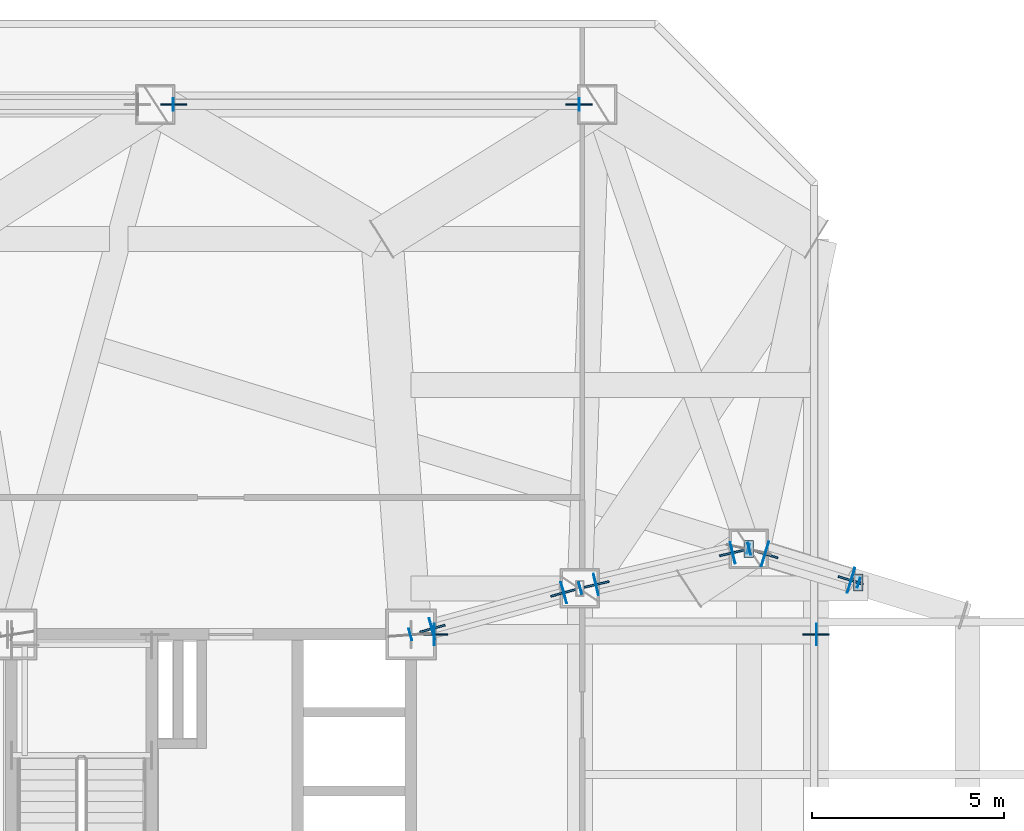
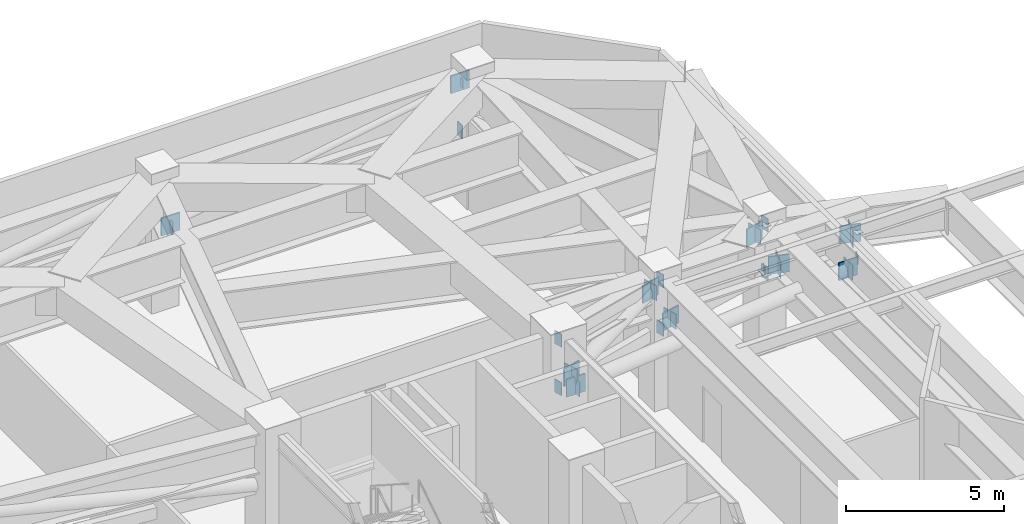
# One storey, part 13 of 18: 33 plates.
"""IFC4 building model written with IfcOpenShell, lengths in metres."""

from ifc_helpers import new_model, si_unit, direction, frame, origin, origin_2d, place, context, subcontext, project, spatial, rectangle, extrude, material, layer, layer_set, type_object, element, save


model = new_model("IFC4")

# Units and contexts
model_context = context("Model", 3, precision=1e-05, world=origin(), true_north=direction((0.0, 1.0)))
body_context = subcontext(model_context, "Body", "Model", "MODEL_VIEW")
ifc_project = project(units=[si_unit("LENGTHUNIT", "METRE"), si_unit("AREAUNIT", "SQUARE_METRE"), si_unit("VOLUMEUNIT", "CUBIC_METRE"), si_unit("PLANEANGLEUNIT", "RADIAN"), si_unit("MASSUNIT", "GRAM", prefix="KILO")], contexts=[model_context])

# Site, building, storey
site_placement = place(None, origin())
site = spatial("IfcSite", under=ifc_project, at=site_placement, CompositionType="ELEMENT")
building_placement = place(site_placement, origin())
building = spatial("IfcBuilding", under=site, at=building_placement, Name="Khamvora Tower", CompositionType="ELEMENT")
storey_placement = place(building_placement, frame((0.0, 0.0, 84.39990234375)))
storey = spatial("IfcBuildingStorey", under=building, at=storey_placement, Name="L21", CompositionType="ELEMENT", Elevation=84.39990234375)

# Plates
ifc_material_1 = material(Name="Steel S355", Category="steel")
ifc_layer_1 = layer(ifc_material_1, 0.02490234375)
ifc_layer_set_1 = layer_set([ifc_layer_1], Name="Steel S355")
plate_type_1 = type_object("IfcPlateType", Name="PL-CAP-25", PredefinedType="SHEET", material=ifc_layer_set_1)
for number, where, z_axis, x_axis, name in (
    (1, (39.387939453125, 36.9970703125, 4.375), (0.0, 0.0, 1.0), (0.964764366352, 0.263115407033, 0.0), "L21 hollow section steel end cap plate 0648"),
    (2, (43.81201171875, 38.202880859375, 4.375), (0.0, 0.0, 1.0), (0.964764366352, 0.263115407033, 0.0), "L21 hollow section steel end cap plate 0649"),
    (3, (39.387939453125, 36.9970703125, 2.5048828125), (0.0, 0.0, 1.0), (0.964764366352, 0.263115407033, 0.0), "L21 hollow section steel end cap plate 0650"),
    (4, (43.81201171875, 38.202880859375, 2.5048828125), (0.0, 0.0, 1.0), (0.964764366352, 0.263115407033, 0.0), "L21 hollow section steel end cap plate 0651"),
):
    element("IfcPlate", number, at=place(storey_placement, frame(where, z_axis=z_axis, x_axis=x_axis)), inside=storey, type_object=plate_type_1, Name=name, PredefinedType="SHEET", context=body_context, shape_type="SweptSolid", body=[
        extrude(rectangle(XDim=0.02490234375, YDim=0.31005859375, at=origin_2d()), origin(), (0.0, 0.0, 1.0), 0.510009765625),
    ])
for number, where, z_axis, x_axis, name in (
    (5, (39.950927734375, 37.14990234375, 2.7099609375), (0.0, 0.0, 1.0), (0.964764366352, 0.263115407033, 0.0), "L21 hollow section steel end cap plate 0652"),
    (6, (43.383056640625, 38.0859375, 4.1689453125), (0.0, 0.0, 1.0), (0.964764366352, 0.263115407033, 0.0), "L21 hollow section steel end cap plate 0653"),
):
    element("IfcPlate", number, at=place(storey_placement, frame(where, z_axis=z_axis, x_axis=x_axis)), inside=storey, type_object=plate_type_1, Name=name, PredefinedType="SHEET", context=body_context, shape_type="SweptSolid", body=[
        extrude(rectangle(XDim=0.02490234375, YDim=0.568115234375, at=origin_2d()), origin(), (0.0, 0.0, 1.0), 0.568115234375),
    ])
for number, where, z_axis, x_axis, name in (
    (7, (48.2119140625, 39.22802734375, 4.375), (0.0, 0.0, 1.0), (0.973924516659, 0.226872289738, 0.0), "L21 hollow section steel end cap plate 0654"),
    (8, (48.2119140625, 39.22802734375, 2.5048828125), (0.0, 0.0, 1.0), (0.973924516659, 0.226872289738, 0.0), "L21 hollow section steel end cap plate 0655"),
):
    element("IfcPlate", number, at=place(storey_placement, frame(where, z_axis=z_axis, x_axis=x_axis)), inside=storey, type_object=plate_type_1, Name=name, PredefinedType="SHEET", context=body_context, shape_type="SweptSolid", body=[
        extrude(rectangle(XDim=0.02490234375, YDim=0.31005859375, at=origin_2d()), origin(), (0.0, 0.0, 1.0), 0.510009765625),
    ])
for number, where, z_axis, x_axis, name in (
    (9, (44.220947265625, 38.298095703125, 2.6552734375), (0.0, 0.0, 1.0), (0.973968055063, 0.226685305474, 0.0), "L21 hollow section steel end cap plate 0656"),
    (10, (47.779052734375, 39.126953125, 4.1669921875), (0.0, 0.0, 1.0), (0.973968055063, 0.226685305474, 0.0), "L21 hollow section steel end cap plate 0657"),
):
    element("IfcPlate", number, at=place(storey_placement, frame(where, z_axis=z_axis, x_axis=x_axis)), inside=storey, type_object=plate_type_1, Name=name, PredefinedType="SHEET", context=body_context, shape_type="SweptSolid", body=[
        extrude(rectangle(XDim=0.02490234375, YDim=0.568115234375, at=origin_2d()), origin(), (0.0, 0.0, 1.0), 0.568115234375),
    ])
for number, where, z_axis, x_axis, name in (
    (11, (48.199951171875, 39.22509765625, 2.734619140625), (0.0, 0.0, 1.0), (1.0, 0.0, 0.0), "L21 hollow section steel end cap plate 0658"),
    (12, (48.199951171875, 39.22509765625, 4.630615234375), (0.0, 0.0, 1.0), (1.0, 0.0, 0.0), "L21 hollow section steel end cap plate 0659"),
):
    element("IfcPlate", number, at=place(storey_placement, frame(where, z_axis=z_axis, x_axis=x_axis)), inside=storey, type_object=plate_type_1, Name=name, PredefinedType="SHEET", context=body_context, shape_type="SweptSolid", body=[
        extrude(rectangle(XDim=0.239990234375, YDim=0.43994140625, at=origin_2d()), origin(), (0.0, 0.0, 1.0), 0.02490234375),
    ])
for number, where, z_axis, x_axis, name in (
    (13, (33.217041015625, 50.800048828125, 2.5048828125), (0.0, 0.0, 1.0), (1.0, 0.0, 0.0), "L21 hollow section steel end cap plate 0678"),
    (14, (43.782958984375, 50.800048828125, 2.5048828125), (0.0, 0.0, 1.0), (1.0, 0.0, 0.0), "L21 hollow section steel end cap plate 0679"),
):
    element("IfcPlate", number, at=place(storey_placement, frame(where, z_axis=z_axis, x_axis=x_axis)), inside=storey, type_object=plate_type_1, Name=name, PredefinedType="SHEET", context=body_context, shape_type="SweptSolid", body=[
        extrude(rectangle(XDim=0.02490234375, YDim=0.31005859375, at=origin_2d()), origin(), (0.0, 0.0, 1.0), 0.510009765625),
    ])
for number, where, z_axis, x_axis, name in (
    (15, (40.014892578125, 37.0, 2.3291015625), (0.0, 0.0, 1.0), (1.0, 0.0, 0.0), "L21 hollow section steel end cap plate 0682"),
    (16, (49.9619140625, 37.0, 3.34716796875), (0.0, 0.0, 1.0), (1.0, 0.0, 0.0), "L21 hollow section steel end cap plate 0683"),
):
    element("IfcPlate", number, at=place(storey_placement, frame(where, z_axis=z_axis, x_axis=x_axis)), inside=storey, type_object=plate_type_1, Name=name, PredefinedType="SHEET", context=body_context, shape_type="SweptSolid", body=[
        extrude(rectangle(XDim=0.02490234375, YDim=0.568115234375, at=origin_2d()), origin(), (0.0, 0.0, 1.0), 0.568115234375),
    ])
for number, where, z_axis, x_axis, name in (
    (17, (48.18798828125, 39.22900390625, 2.66015625), (0.0, 0.0, 1.0), (0.955962211327, -0.293489779234, 0.0), "L21 hollow section steel end cap plate 0689"),
    (18, (51.06201171875, 38.345947265625, 2.66015625), (0.0, 0.0, 1.0), (0.955962211327, -0.293489779234, 0.0), "L21 hollow section steel end cap plate 0690"),
):
    element("IfcPlate", number, at=place(storey_placement, frame(where, z_axis=z_axis, x_axis=x_axis)), inside=storey, type_object=plate_type_1, Name=name, PredefinedType="SHEET", context=body_context, shape_type="SweptSolid", body=[
        extrude(rectangle(XDim=0.02490234375, YDim=0.260009765625, at=origin_2d()), origin(), (0.0, 0.0, 1.0), 0.360107421875),
    ])
plate_placement = place(storey_placement, frame((51.050048828125, 38.35009765625, 3.890625), z_axis=(0.0, 0.0, 1.0), x_axis=(1.0, 0.0, 0.0)))
element("IfcPlate", 19, at=plate_placement, inside=storey, type_object=plate_type_1, Name="L21 hollow section steel end cap plate 0691", PredefinedType="SHEET", context=body_context, shape_type="SweptSolid", body=[
    extrude(rectangle(XDim=0.239990234375, YDim=0.43994140625, at=origin_2d()), origin(), (0.0, 0.0, 1.0), 0.02490234375),
])
for number, where, z_axis, x_axis, name in (
    (20, (48.6220703125, 39.094970703125, 2.66015625), (0.0, 0.0, 1.0), (0.955992940263, -0.293389669497, 0.0), "L21 hollow section steel end cap plate 0692"),
    (21, (50.863037109375, 38.407958984375, 3.486083984375), (0.0, 0.0, 1.0), (0.955992940263, -0.293389669497, 0.0), "L21 hollow section steel end cap plate 0693"),
):
    element("IfcPlate", number, at=place(storey_placement, frame(where, z_axis=z_axis, x_axis=x_axis)), inside=storey, type_object=plate_type_1, Name=name, PredefinedType="SHEET", context=body_context, shape_type="SweptSolid", body=[
        extrude(rectangle(XDim=0.02490234375, YDim=0.669921875, at=origin_2d()), origin(), (0.0, 0.0, 1.0), 0.669921875),
    ])
for number, where, z_axis, x_axis, name in (
    (22, (33.2109375, 50.800048828125, 2.671630859375), (0.0, 0.0, 1.0), (1.0, 0.0, 0.0), "L21 hollow section steel end cap plate 0730"),
    (23, (43.7890625, 50.800048828125, 4.465576171875), (0.0, 0.0, 1.0), (1.0, 0.0, 0.0), "L21 hollow section steel end cap plate 0731"),
):
    element("IfcPlate", number, at=place(storey_placement, frame(where, z_axis=z_axis, x_axis=x_axis)), inside=storey, type_object=plate_type_1, Name=name, PredefinedType="SHEET", context=body_context, shape_type="SweptSolid", body=[
        extrude(rectangle(XDim=0.02490234375, YDim=0.3330078125, at=origin_2d()), origin(), (0.0, 0.0, 1.0), 0.3330078125),
    ])
ifc_material_2 = material(Name="Steel S460", Category="steel")
ifc_layer_2 = layer(ifc_material_2, 0.050048828125)
ifc_layer_set_2 = layer_set([ifc_layer_2], Name="Steel S460")
plate_type_2 = type_object("IfcPlateType", Name="PLT-GUS-50", PredefinedType="SHEET", material=ifc_layer_set_2)
for number, where, z_axis, x_axis, name in (
    (24, (39.9619140625, 37.153076171875, 2.6591796875), (0.0, 0.0, 1.0), (0.964764366352, 0.263115407033, 0.0), "L21 brace connection node gusset plate 0141"),
    (25, (43.3720703125, 38.0830078125, 4.10791015625), (0.0, 0.0, 1.0), (0.964764366352, 0.263115407033, 0.0), "L21 brace connection node gusset plate 0142"),
    (26, (44.23193359375, 38.301025390625, 2.60400390625), (0.0, 0.0, 1.0), (0.973924516659, 0.226872289738, 0.0), "L21 brace connection node gusset plate 0143"),
    (27, (47.76806640625, 39.1240234375, 4.10595703125), (0.0, 0.0, 1.0), (0.973924516659, 0.226872289738, 0.0), "L21 brace connection node gusset plate 0144"),
    (28, (40.027099609375, 37.0, 2.27392578125), (0.0, 0.0, 1.0), (1.0, 0.0, 0.0), "L21 brace connection node gusset plate 0155"),
    (29, (49.949951171875, 37.0, 3.2900390625), (0.0, 0.0, 1.0), (1.0, 0.0, 0.0), "L21 brace connection node gusset plate 0156"),
    (30, (48.633056640625, 39.092041015625, 2.6591796875), (0.0, 0.0, 1.0), (0.955962211327, -0.293489779234, 0.0), "L21 brace connection node gusset plate 0159"),
    (31, (50.85205078125, 38.410888671875, 3.47705078125), (0.0, 0.0, 1.0), (0.955962211327, -0.293489779234, 0.0), "L21 brace connection node gusset plate 0160"),
    (32, (33.222900390625, 50.800048828125, 2.5), (0.0, 0.0, 1.0), (1.0, 0.0, 0.0), "L21 brace connection node gusset plate 0163"),
    (33, (43.777099609375, 50.800048828125, 4.2900390625), (0.0, 0.0, 1.0), (1.0, 0.0, 0.0), "L21 brace connection node gusset plate 0164"),
):
    element("IfcPlate", number, at=place(storey_placement, frame(where, z_axis=z_axis, x_axis=x_axis)), inside=storey, type_object=plate_type_2, Name=name, PredefinedType="SHEET", context=body_context, shape_type="SweptSolid", body=[
        extrude(rectangle(XDim=0.679931640625, YDim=0.050048828125, at=origin_2d()), origin(), (0.0, 0.0, 1.0), 0.679931640625),
    ])

save(model, "model.ifc")
